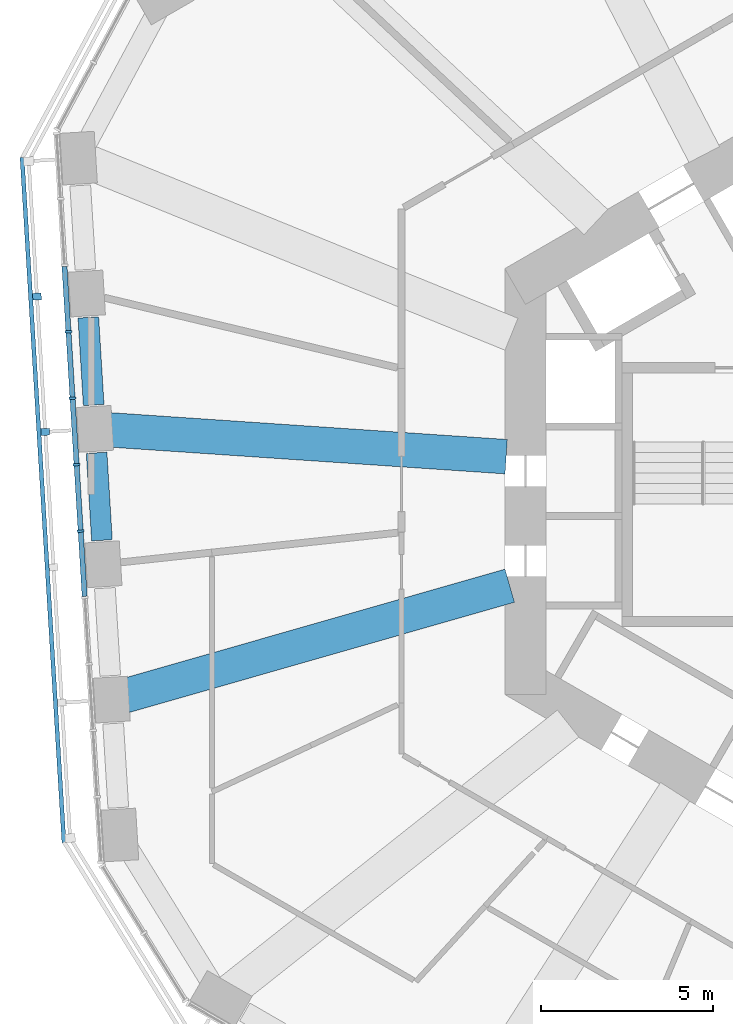
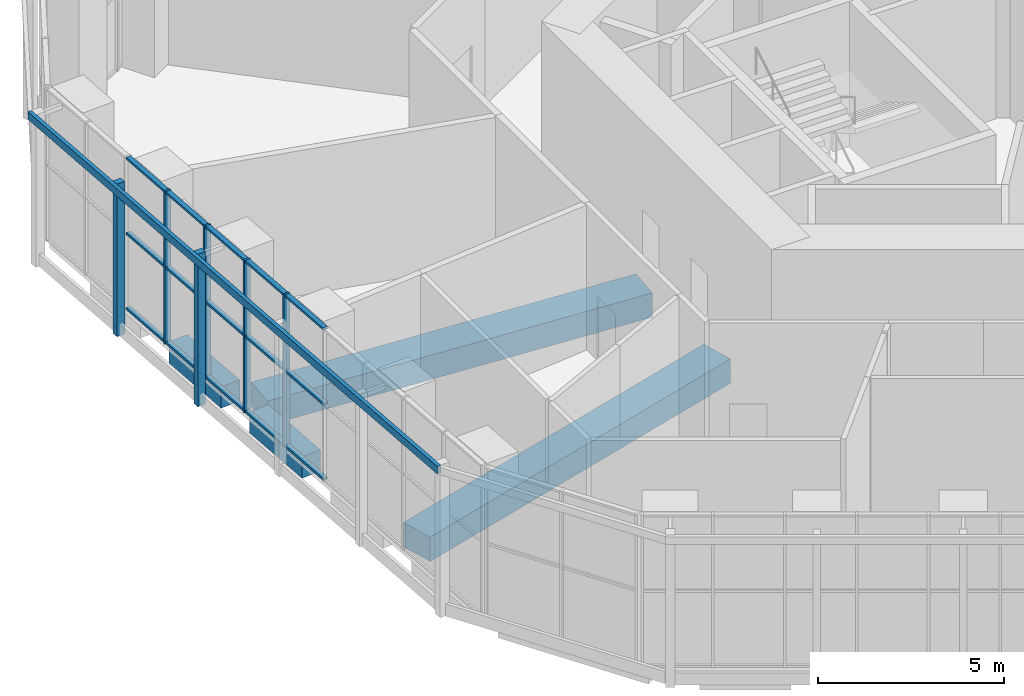
# One storey, part 4 of 19: 22 members, 4 beams, 2 elements without a shape of their own.
"""IFC4 building model written with IfcOpenShell, lengths in metres."""

from ifc_helpers import new_model, si_unit, direction, frame, origin, origin_2d, place, context, subcontext, project, spatial, rectangle, extrude, material, material_profile, profile_set, type_object, element, aggregate, save


model = new_model("IFC4")

# Units and contexts
model_context = context("Model", 3, precision=1e-05, world=origin(), true_north=direction((0.0, 1.0)))
body_context = subcontext(model_context, "Body", "Model", "MODEL_VIEW")
ifc_project = project(units=[si_unit("LENGTHUNIT", "METRE"), si_unit("AREAUNIT", "SQUARE_METRE"), si_unit("VOLUMEUNIT", "CUBIC_METRE"), si_unit("PLANEANGLEUNIT", "RADIAN"), si_unit("MASSUNIT", "GRAM", prefix="KILO")], contexts=[model_context])

# Site, building, storey
site_placement = place(None, origin())
site = spatial("IfcSite", under=ifc_project, at=site_placement, CompositionType="ELEMENT")
building_placement = place(site_placement, origin())
building = spatial("IfcBuilding", under=site, at=building_placement, Name="Vanh Sen Convention Tower", CompositionType="ELEMENT")
storey_placement = place(building_placement, frame((0.0, 0.0, 39.0)))
storey = spatial("IfcBuildingStorey", under=building, at=storey_placement, Name="L06", CompositionType="ELEMENT", Elevation=39.0)

# Curtain wall, members
ifc_material_1 = material(Name="Aluminium structural glazing system", Category="aluminium")
curtain_wall_type_1 = type_object("IfcCurtainWallType", Name="Hotel lobby structural glazing", PredefinedType="NOTDEFINED", material=ifc_material_1)
curtain_wall_1_placement = place(storey_placement, origin())
curtain_wall_1 = element("IfcCurtainWall", 1, at=curtain_wall_1_placement, inside=storey, type_object=curtain_wall_type_1, Name="Hotel lobby glazing W L06", PredefinedType="NOTDEFINED")
ifc_material_2 = material(Name="Aluminium mullion", Category="aluminium")
ifc_material_profile_1 = material_profile(ifc_material_2, rectangle(XDim=0.199951171875, YDim=0.070068359375, at=origin_2d()), Name="Lobby glazing mullion 70 x 200")
ifc_profile_set_1 = profile_set([ifc_material_profile_1], Name="Aluminium mullion")
member_type_1 = type_object("IfcMemberType", Name="Lobby glazing mullion 70 x 200", PredefinedType="MULLION", material=ifc_profile_set_1)
member_1_placement = place(storey_placement, frame((-23.35888671875, 4.34716796875, 0.0), z_axis=(0.0, 0.0, 1.0), x_axis=(0.99813494532, 0.06104613772, 0.0)))
member_1 = element("IfcMember", 2, at=member_1_placement, type_object=member_type_1, Name="CW2 mullion 4", PredefinedType="MULLION", context=body_context, shape_type="SweptSolid", body=[
    extrude(rectangle(XDim=0.199951171875, YDim=0.070068359375, at=origin_2d()), origin(), (0.0, 0.0, 1.0), 5.0),
])
member_2_placement = place(storey_placement, frame((-23.240966796875, 2.419189453125, 0.0), z_axis=(0.0, 0.0, 1.0), x_axis=(0.99813494532, 0.06104613772, 0.0)))
member_2 = element("IfcMember", 3, at=member_2_placement, type_object=member_type_1, Name="CW2 mullion 5", PredefinedType="MULLION", context=body_context, shape_type="SweptSolid", body=[
    extrude(rectangle(XDim=0.199951171875, YDim=0.070068359375, at=origin_2d()), origin(), (0.0, 0.0, 1.0), 5.0),
])
member_3_placement = place(storey_placement, frame((-23.123046875, 0.491455078125, 0.0), z_axis=(0.0, 0.0, 1.0), x_axis=(0.99813494532, 0.06104613772, 0.0)))
member_3 = element("IfcMember", 4, at=member_3_placement, type_object=member_type_1, Name="CW2 mullion 6", PredefinedType="MULLION", context=body_context, shape_type="SweptSolid", body=[
    extrude(rectangle(XDim=0.199951171875, YDim=0.070068359375, at=origin_2d()), origin(), (0.0, 0.0, 1.0), 5.0),
])
member_4_placement = place(storey_placement, frame((-23.005126953125, -1.4365234375, 0.0), z_axis=(0.0, 0.0, 1.0), x_axis=(0.99813494532, 0.06104613772, 0.0)))
member_4 = element("IfcMember", 5, at=member_4_placement, type_object=member_type_1, Name="CW2 mullion 7", PredefinedType="MULLION", context=body_context, shape_type="SweptSolid", body=[
    extrude(rectangle(XDim=0.199951171875, YDim=0.070068359375, at=origin_2d()), origin(), (0.0, 0.0, 1.0), 5.0),
])
ifc_material_3 = material(Name="Aluminium transom", Category="aluminium")
ifc_material_profile_2 = material_profile(ifc_material_3, rectangle(XDim=0.14990234375, YDim=0.070068359375, at=origin_2d()), Name="Lobby glazing transom 150 x 70")
ifc_profile_set_2 = profile_set([ifc_material_profile_2], Name="Aluminium transom")
member_type_2 = type_object("IfcMemberType", Name="Lobby glazing transom 150 x 70", PredefinedType="USERDEFINED", material=ifc_profile_set_2)
member_5_placement = place(storey_placement, frame((-23.474853515625, 6.240234375, 0.034912109375), z_axis=(0.061112729676, -0.998130870313, 0.0), x_axis=(0.998130870313, 0.061112729676, 0.0)))
member_5 = element("IfcMember", 6, at=member_5_placement, type_object=member_type_2, Name="CW2 transom 3.1", ObjectType="TRANSOM", PredefinedType="USERDEFINED", context=body_context, shape_type="SweptSolid", body=[
    extrude(rectangle(XDim=0.14990234375, YDim=0.070068359375, at=origin_2d()), origin(), (0.0, 0.0, 1.0), 1.861572265625),
])
member_6_placement = place(storey_placement, frame((-23.474853515625, 6.240234375, 2.5), z_axis=(0.061112729676, -0.998130870313, 0.0), x_axis=(0.998130870313, 0.061112729676, 0.0)))
member_6 = element("IfcMember", 7, at=member_6_placement, type_object=member_type_2, Name="CW2 transom 3.2", ObjectType="TRANSOM", PredefinedType="USERDEFINED", context=body_context, shape_type="SweptSolid", body=[
    extrude(rectangle(XDim=0.14990234375, YDim=0.070068359375, at=origin_2d()), origin(), (0.0, 0.0, 1.0), 1.861572265625),
])
member_7_placement = place(storey_placement, frame((-23.474853515625, 6.240234375, 4.965087890625), z_axis=(0.061112729676, -0.998130870313, 0.0), x_axis=(0.998130870313, 0.061112729676, 0.0)))
member_7 = element("IfcMember", 8, at=member_7_placement, type_object=member_type_2, Name="CW2 transom 3.3", ObjectType="TRANSOM", PredefinedType="USERDEFINED", context=body_context, shape_type="SweptSolid", body=[
    extrude(rectangle(XDim=0.14990234375, YDim=0.070068359375, at=origin_2d()), origin(), (0.0, 0.0, 1.0), 1.861572265625),
])
member_8_placement = place(storey_placement, frame((-23.35693359375, 4.312255859375, 0.034912109375), z_axis=(0.06112073026, -0.998130380428, 0.0), x_axis=(0.998130380428, 0.06112073026, 0.0)))
member_8 = element("IfcMember", 9, at=member_8_placement, type_object=member_type_2, Name="CW2 transom 4.1", ObjectType="TRANSOM", PredefinedType="USERDEFINED", context=body_context, shape_type="SweptSolid", body=[
    extrude(rectangle(XDim=0.14990234375, YDim=0.070068359375, at=origin_2d()), origin(), (0.0, 0.0, 1.0), 1.861328125),
])
member_9_placement = place(storey_placement, frame((-23.35693359375, 4.312255859375, 2.5), z_axis=(0.06112073026, -0.998130380428, 0.0), x_axis=(0.998130380428, 0.06112073026, 0.0)))
member_9 = element("IfcMember", 10, at=member_9_placement, type_object=member_type_2, Name="CW2 transom 4.2", ObjectType="TRANSOM", PredefinedType="USERDEFINED", context=body_context, shape_type="SweptSolid", body=[
    extrude(rectangle(XDim=0.14990234375, YDim=0.070068359375, at=origin_2d()), origin(), (0.0, 0.0, 1.0), 1.861328125),
])
member_10_placement = place(storey_placement, frame((-23.35693359375, 4.312255859375, 4.965087890625), z_axis=(0.06112073026, -0.998130380428, 0.0), x_axis=(0.998130380428, 0.06112073026, 0.0)))
member_10 = element("IfcMember", 11, at=member_10_placement, type_object=member_type_2, Name="CW2 transom 4.3", ObjectType="TRANSOM", PredefinedType="USERDEFINED", context=body_context, shape_type="SweptSolid", body=[
    extrude(rectangle(XDim=0.14990234375, YDim=0.070068359375, at=origin_2d()), origin(), (0.0, 0.0, 1.0), 1.861328125),
])
member_11_placement = place(storey_placement, frame((-23.239013671875, 2.38427734375, 0.034912109375), z_axis=(0.06112073026, -0.998130380428, 0.0), x_axis=(0.998130380428, 0.06112073026, 0.0)))
member_11 = element("IfcMember", 12, at=member_11_placement, type_object=member_type_2, Name="CW2 transom 5.1", ObjectType="TRANSOM", PredefinedType="USERDEFINED", context=body_context, shape_type="SweptSolid", body=[
    extrude(rectangle(XDim=0.14990234375, YDim=0.070068359375, at=origin_2d()), origin(), (0.0, 0.0, 1.0), 1.861328125),
])
member_12_placement = place(storey_placement, frame((-23.239013671875, 2.38427734375, 2.5), z_axis=(0.06112073026, -0.998130380428, 0.0), x_axis=(0.998130380428, 0.06112073026, 0.0)))
member_12 = element("IfcMember", 13, at=member_12_placement, type_object=member_type_2, Name="CW2 transom 5.2", ObjectType="TRANSOM", PredefinedType="USERDEFINED", context=body_context, shape_type="SweptSolid", body=[
    extrude(rectangle(XDim=0.14990234375, YDim=0.070068359375, at=origin_2d()), origin(), (0.0, 0.0, 1.0), 1.861328125),
])
member_13_placement = place(storey_placement, frame((-23.239013671875, 2.38427734375, 4.965087890625), z_axis=(0.06112073026, -0.998130380428, 0.0), x_axis=(0.998130380428, 0.06112073026, 0.0)))
member_13 = element("IfcMember", 14, at=member_13_placement, type_object=member_type_2, Name="CW2 transom 5.3", ObjectType="TRANSOM", PredefinedType="USERDEFINED", context=body_context, shape_type="SweptSolid", body=[
    extrude(rectangle(XDim=0.14990234375, YDim=0.070068359375, at=origin_2d()), origin(), (0.0, 0.0, 1.0), 1.861328125),
])
member_14_placement = place(storey_placement, frame((-23.12109375, 0.45654296875, 0.034912109375), z_axis=(0.061112729676, -0.998130870313, 0.0), x_axis=(0.998130870313, 0.061112729676, 0.0)))
member_14 = element("IfcMember", 15, at=member_14_placement, type_object=member_type_2, Name="CW2 transom 6.1", ObjectType="TRANSOM", PredefinedType="USERDEFINED", context=body_context, shape_type="SweptSolid", body=[
    extrude(rectangle(XDim=0.14990234375, YDim=0.070068359375, at=origin_2d()), origin(), (0.0, 0.0, 1.0), 1.861572265625),
])
member_15_placement = place(storey_placement, frame((-23.12109375, 0.45654296875, 2.5), z_axis=(0.061112729676, -0.998130870313, 0.0), x_axis=(0.998130870313, 0.061112729676, 0.0)))
member_15 = element("IfcMember", 16, at=member_15_placement, type_object=member_type_2, Name="CW2 transom 6.2", ObjectType="TRANSOM", PredefinedType="USERDEFINED", context=body_context, shape_type="SweptSolid", body=[
    extrude(rectangle(XDim=0.14990234375, YDim=0.070068359375, at=origin_2d()), origin(), (0.0, 0.0, 1.0), 1.861572265625),
])
member_16_placement = place(storey_placement, frame((-23.12109375, 0.45654296875, 4.965087890625), z_axis=(0.061112729676, -0.998130870313, 0.0), x_axis=(0.998130870313, 0.061112729676, 0.0)))
member_16 = element("IfcMember", 17, at=member_16_placement, type_object=member_type_2, Name="CW2 transom 6.3", ObjectType="TRANSOM", PredefinedType="USERDEFINED", context=body_context, shape_type="SweptSolid", body=[
    extrude(rectangle(XDim=0.14990234375, YDim=0.070068359375, at=origin_2d()), origin(), (0.0, 0.0, 1.0), 1.861572265625),
])
member_17_placement = place(storey_placement, frame((-23.003173828125, -1.471435546875, 0.034912109375), z_axis=(0.06112073026, -0.998130380428, 0.0), x_axis=(0.998130380428, 0.06112073026, 0.0)))
member_17 = element("IfcMember", 18, at=member_17_placement, type_object=member_type_2, Name="CW2 transom 7.1", ObjectType="TRANSOM", PredefinedType="USERDEFINED", context=body_context, shape_type="SweptSolid", body=[
    extrude(rectangle(XDim=0.14990234375, YDim=0.070068359375, at=origin_2d()), origin(), (0.0, 0.0, 1.0), 1.861328125),
])
member_18_placement = place(storey_placement, frame((-23.003173828125, -1.471435546875, 2.5), z_axis=(0.06112073026, -0.998130380428, 0.0), x_axis=(0.998130380428, 0.06112073026, 0.0)))
member_18 = element("IfcMember", 19, at=member_18_placement, type_object=member_type_2, Name="CW2 transom 7.2", ObjectType="TRANSOM", PredefinedType="USERDEFINED", context=body_context, shape_type="SweptSolid", body=[
    extrude(rectangle(XDim=0.14990234375, YDim=0.070068359375, at=origin_2d()), origin(), (0.0, 0.0, 1.0), 1.861328125),
])
member_19_placement = place(storey_placement, frame((-23.003173828125, -1.471435546875, 4.965087890625), z_axis=(0.06112073026, -0.998130380428, 0.0), x_axis=(0.998130380428, 0.06112073026, 0.0)))
member_19 = element("IfcMember", 20, at=member_19_placement, type_object=member_type_2, Name="CW2 transom 7.3", ObjectType="TRANSOM", PredefinedType="USERDEFINED", context=body_context, shape_type="SweptSolid", body=[
    extrude(rectangle(XDim=0.14990234375, YDim=0.070068359375, at=origin_2d()), origin(), (0.0, 0.0, 1.0), 1.861328125),
])
aggregate(curtain_wall_1, [member_1, member_2, member_3, member_4, member_5, member_6, member_7, member_8, member_9, member_10, member_11, member_12, member_13, member_14, member_15, member_16, member_17, member_18, member_19])

ifc_material_4 = material(Name="Concrete C50/60", Category="concrete")
curtain_wall_type_2 = type_object("IfcCurtainWallType", Name="Outer skin hotel zone", PredefinedType="NOTDEFINED", material=ifc_material_4)
curtain_wall_2_placement = place(storey_placement, origin())
curtain_wall_2 = element("IfcCurtainWall", 21, at=curtain_wall_2_placement, inside=storey, type_object=curtain_wall_type_2, Name="OUTER SKIN W L06", PredefinedType="NOTDEFINED")
ifc_material_profile_3 = material_profile(ifc_material_4, rectangle(XDim=0.199951171875, YDim=0.25, at=origin_2d()), Name="Outer skin precast fin 200 x 250")
ifc_profile_set_3 = profile_set([ifc_material_profile_3], Name="Concrete C50/60")
member_type_3 = type_object("IfcMemberType", Name="Outer skin precast fin 200 x 250", PredefinedType="MULLION", material=ifc_profile_set_3)
member_20_placement = place(storey_placement, frame((-24.27294921875, 5.3671875, 0.0), z_axis=(0.0, 0.0, 1.0), x_axis=(0.061048539535, -0.998134798422, 0.0)))
member_20 = element("IfcMember", 22, at=member_20_placement, type_object=member_type_3, Name="OUTER SKIN fin 2 W L06", PredefinedType="MULLION", context=body_context, shape_type="SweptSolid", body=[
    extrude(rectangle(XDim=0.199951171875, YDim=0.25, at=origin_2d()), origin(), (0.0, 0.0, 1.0), 5.0),
])
member_21_placement = place(storey_placement, frame((-24.03271484375, 1.440185546875, 0.0), z_axis=(0.0, 0.0, 1.0), x_axis=(0.061048539535, -0.998134798422, 0.0)))
member_21 = element("IfcMember", 23, at=member_21_placement, type_object=member_type_3, Name="OUTER SKIN fin 3 W L06", PredefinedType="MULLION", context=body_context, shape_type="SweptSolid", body=[
    extrude(rectangle(XDim=0.199951171875, YDim=0.25, at=origin_2d()), origin(), (0.0, 0.0, 1.0), 5.0),
])
ifc_material_profile_4 = material_profile(ifc_material_4, rectangle(XDim=0.1201171875, YDim=0.25, at=origin_2d()), Name="Outer skin precast spandrel band 250 x 120")
ifc_profile_set_4 = profile_set([ifc_material_profile_4], Name="Concrete C50/60")
member_type_4 = type_object("IfcMemberType", Name="Outer skin precast spandrel band 250 x 120", PredefinedType="USERDEFINED", material=ifc_profile_set_4)
member_22_placement = place(storey_placement, frame((-24.705322265625, 9.408203125, 4.875), z_axis=(0.061050017989, -0.998134707995, 0.0), x_axis=(0.998134707995, 0.061050017989, 0.0)))
member_22 = element("IfcMember", 24, at=member_22_placement, type_object=member_type_4, Name="OUTER SKIN spandrel band W L06", ObjectType="TRANSOM", PredefinedType="USERDEFINED", context=body_context, shape_type="SweptSolid", body=[
    extrude(rectangle(XDim=0.1201171875, YDim=0.25, at=origin_2d()), origin(), (0.0, 0.0, 1.0), 19.923095703125),
])
aggregate(curtain_wall_2, [member_20, member_21, member_22])

# Beams
ifc_material_5 = material(Name="Concrete C50/60", Category="concrete")
ifc_material_profile_5 = material_profile(ifc_material_5, rectangle(XDim=1.0, YDim=0.800048828125, at=origin_2d()), Name="RC 1000X800")
ifc_profile_set_5 = profile_set([ifc_material_profile_5], Name="Concrete C50/60")
beam_type_1 = type_object("IfcBeamType", Name="Radial floor beam 1000 x 800", PredefinedType="BEAM", material=ifc_profile_set_5)
beam_1_placement = place(storey_placement, frame((-22.15185546875, 1.499267578125, -0.699951171875), z_axis=(0.997718156648, -0.067516515721, 0.0), x_axis=(0.067516515721, 0.997718156648, 0.0)))
element("IfcBeam", 25, at=beam_1_placement, inside=storey, type_object=beam_type_1, Name="Radial beam 11 L06", PredefinedType="BEAM", context=body_context, shape_type="SweptSolid", body=[
    extrude(rectangle(XDim=1.0, YDim=0.800048828125, at=origin_2d()), origin(), (0.0, 0.0, 1.0), 11.51708984375),
])
beam_2_placement = place(storey_placement, frame((-21.723876953125, -6.216796875, -0.699951171875), z_axis=(0.961405669021, 0.275134766203, 0.0), x_axis=(-0.275134766203, 0.961405669021, 0.0)))
element("IfcBeam", 26, at=beam_2_placement, inside=storey, type_object=beam_type_1, Name="Radial beam 12 L06", PredefinedType="BEAM", context=body_context, shape_type="SweptSolid", body=[
    extrude(rectangle(XDim=1.0, YDim=0.800048828125, at=origin_2d()), origin(), (0.0, 0.0, 1.0), 11.614501953125),
])
ifc_material_profile_6 = material_profile(ifc_material_5, rectangle(XDim=0.60009765625, YDim=0.699951171875, at=origin_2d()), Name="RC 600X700")
ifc_profile_set_6 = profile_set([ifc_material_profile_6], Name="Concrete C50/60")
beam_type_2 = type_object("IfcBeamType", Name="Spandrel beam 600 x 700", PredefinedType="SPANDREL", material=ifc_profile_set_6)
beam_3_placement = place(storey_placement, frame((-22.783203125, 4.76220703125, -0.64990234375), z_axis=(0.061117866389, -0.998130555793, 0.0), x_axis=(0.998130555793, 0.061117866389, 0.0)))
element("IfcBeam", 27, at=beam_3_placement, inside=storey, type_object=beam_type_2, Name="Spandrel beam 20 L06", PredefinedType="SPANDREL", context=body_context, shape_type="SweptSolid", body=[
    extrude(rectangle(XDim=0.60009765625, YDim=0.699951171875, at=origin_2d()), origin(), (0.0, 0.0, 1.0), 2.54443359375),
])
beam_4_placement = place(storey_placement, frame((-22.54296875, 0.8349609375, -0.64990234375), z_axis=(0.061016434097, -0.998136761556, 0.0), x_axis=(0.998136761556, 0.061016434097, 0.0)))
element("IfcBeam", 28, at=beam_4_placement, inside=storey, type_object=beam_type_2, Name="Spandrel beam 21 L06", PredefinedType="SPANDREL", context=body_context, shape_type="SweptSolid", body=[
    extrude(rectangle(XDim=0.60009765625, YDim=0.699951171875, at=origin_2d()), origin(), (0.0, 0.0, 1.0), 2.544677734375),
])

save(model, "model.ifc")
